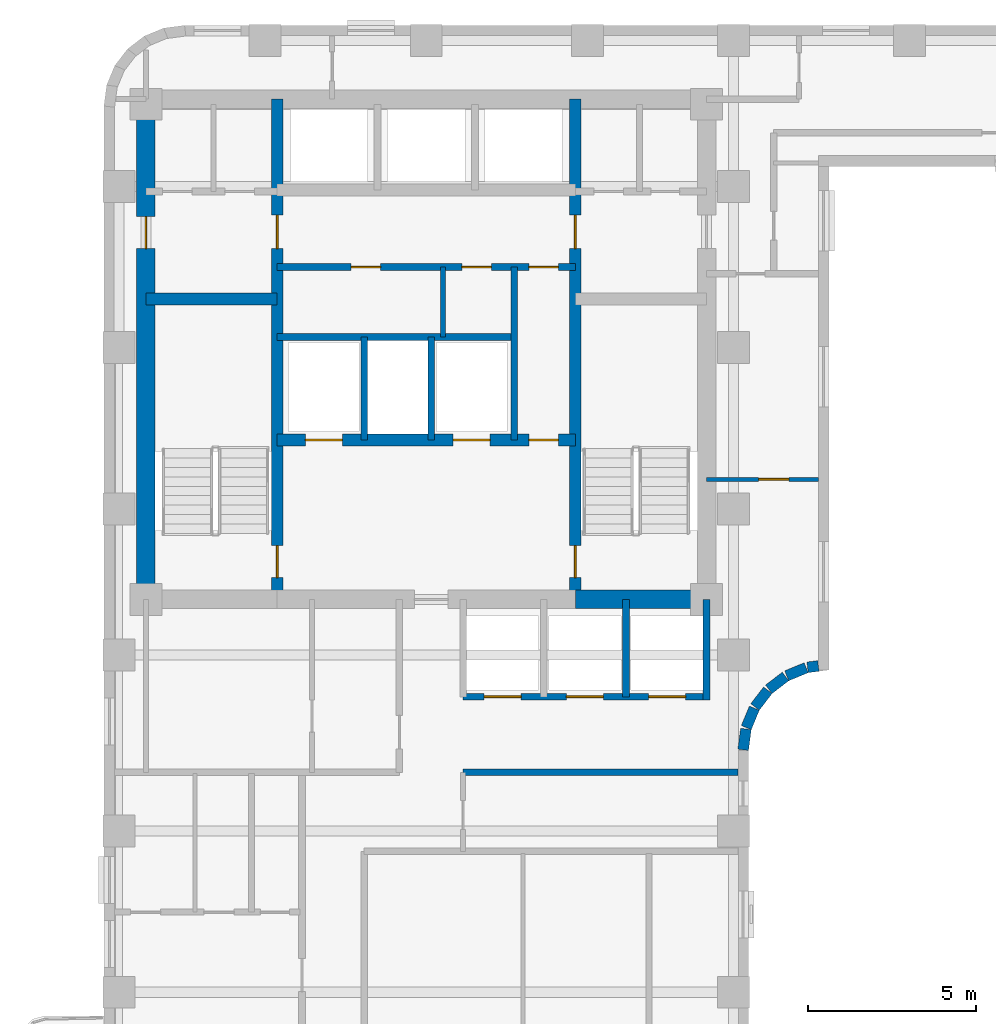
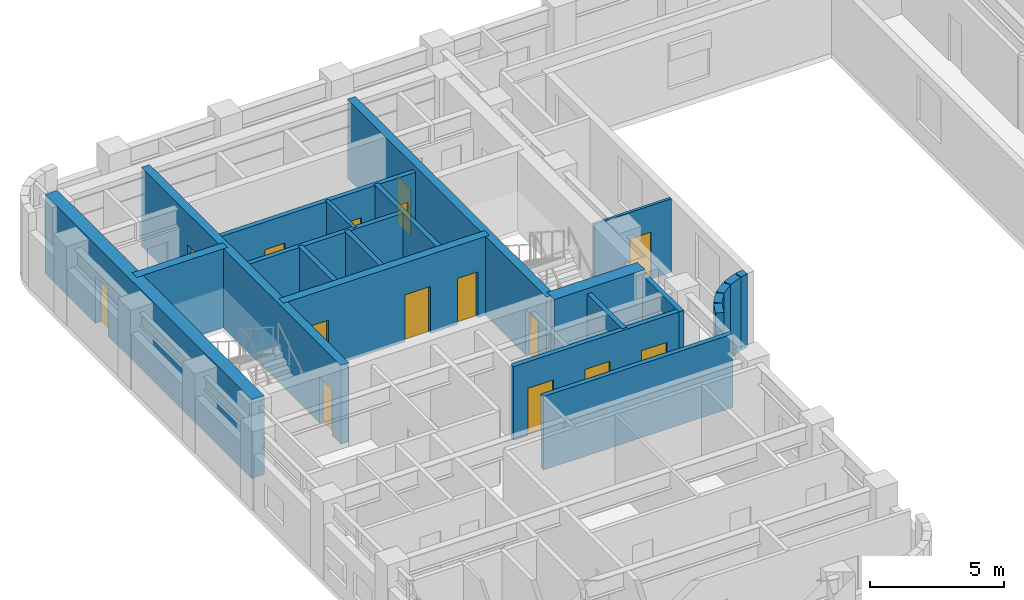
# One storey, part 4 of 10: 23 walls, 15 doors, 15 openings.
"""IFC4 building model written with IfcOpenShell, lengths in metres."""

from ifc_helpers import new_model, si_unit, direction, frame, frame_2d, origin, place, context, subcontext, project, spatial, rectangle, extrude, material, layer, layer_set, type_object, element, fill, save


model = new_model("IFC4")

# Units and contexts
model_context = context("Model", 3, precision=1e-05, world=origin(), true_north=direction((0.0, 1.0)))
body_context = subcontext(model_context, "Body", "Model", "MODEL_VIEW")
ifc_project = project(units=[si_unit("LENGTHUNIT", "METRE"), si_unit("AREAUNIT", "SQUARE_METRE"), si_unit("VOLUMEUNIT", "CUBIC_METRE"), si_unit("PLANEANGLEUNIT", "RADIAN"), si_unit("MASSUNIT", "GRAM", prefix="KILO")], contexts=[model_context])

# Site, building, storey
site_placement = place(None, origin())
site = spatial("IfcSite", under=ifc_project, at=site_placement, CompositionType="ELEMENT")
building_placement = place(site_placement, origin())
building = spatial("IfcBuilding", under=site, at=building_placement, Name="Orvandelia Arch Residences", CompositionType="ELEMENT")
storey_placement = place(building_placement, frame((0.0, 0.0, 182.800048828125)))
storey = spatial("IfcBuildingStorey", under=building, at=storey_placement, Name="L48", CompositionType="ELEMENT", Elevation=182.800048828125)

# Wall, openings, doors
ifc_material_1 = material(Name="Concrete C50/60", Category="concrete")
ifc_layer_1 = layer(ifc_material_1, 0.35009765625, Name="Concrete C50/60", Category="concrete")
ifc_layer_set_1 = layer_set([ifc_layer_1], Name="Concrete C50/60")
wall_type_1 = type_object("IfcWallType", Name="WL-CORE-350", PredefinedType="SHEAR", material=ifc_layer_set_1)
wall_1_placement = place(storey_placement, frame((9.9599609375, 30.89990234375, 0.0), z_axis=(0.0, 0.0, 1.0), x_axis=(0.0, 1.0, 0.0)))
wall_1 = element("IfcWall", 1, at=wall_1_placement, inside=storey, type_object=wall_type_1, Name="Core Shear Wall L48-WEB1", PredefinedType="SHEAR", context=body_context, shape_type="SweptSolid", body=[
    extrude(rectangle(XDim=14.900146484375, YDim=0.35009765625, at=frame_2d((7.4501953125, 0.0))), origin(), (0.0, 0.0, 1.0), 3.599853515625),
])
opening_1_placement = place(wall_1_placement, frame((0.64990234375, 0.0, 0.0)))
opening_1 = element("IfcOpeningElement", 2, at=opening_1_placement, cuts=wall_1, Name="Opening D7", PredefinedType="OPENING", context=body_context, shape_type="SweptSolid", body=[
    extrude(rectangle(XDim=0.949951171875, YDim=2.10009765625, at=frame_2d((0.47509765625, 1.050048828125))), frame((0.0, 0.18505859375, 0.0), z_axis=(0.0, -1.0, 0.0), x_axis=(1.0, 0.0, 0.0)), (0.0, 0.0, 1.0), 0.3701171875),
])
opening_2_placement = place(wall_1_placement, frame((10.449951171875, 0.0, 0.0)))
opening_2 = element("IfcOpeningElement", 3, at=opening_2_placement, cuts=wall_1, Name="Opening D6", PredefinedType="OPENING", context=body_context, shape_type="SweptSolid", body=[
    extrude(rectangle(XDim=1.0, YDim=2.14990234375, at=frame_2d((0.5, 1.074951171875))), frame((0.0, 0.18505859375, 0.0), z_axis=(0.0, -1.0, 0.0), x_axis=(1.0, 0.0, 0.0)), (0.0, 0.0, 1.0), 0.3701171875),
])
ifc_material_2 = material(Name="Smokeproof Painted Steel Fire Door", Category="steel")
door_type_1 = type_object("IfcDoorType", Name="DR-FD60-1000", OperationType="NOTDEFINED", PredefinedType="DOOR", material=ifc_material_2)
door_1_placement = place(opening_2_placement, origin())
door_1 = element("IfcDoor", 4, at=door_1_placement, inside=storey, type_object=door_type_1, Name="High-Rise Lift Hall West Vestibule Door L48", OperationType="SINGLE_SWING_LEFT", OverallHeight=2.14990234375, OverallWidth=1.0, PredefinedType="DOOR", context=body_context, shape_type="SweptSolid", body=[
    extrude(rectangle(XDim=1.0, YDim=2.14990234375, at=frame_2d((0.5, 1.074951171875))), frame((0.0, 0.02490234375, 0.0), z_axis=(0.0, -1.0, 0.0), x_axis=(1.0, 0.0, 0.0)), (0.0, 0.0, 1.0), 0.050048828125),
])
fill(opening_2, door_1)
ifc_material_3 = material(Name="Pressurised Stairwell Fire Door")
door_type_2 = type_object("IfcDoorType", Name="DR-STAIR-950", OperationType="NOTDEFINED", PredefinedType="DOOR", material=ifc_material_3)
door_2_placement = place(opening_1_placement, origin())
door_2 = element("IfcDoor", 5, at=door_2_placement, inside=storey, type_object=door_type_2, Name="Stairwell ST-1 Fire Door L48", OperationType="SINGLE_SWING_LEFT", OverallHeight=2.10009765625, OverallWidth=0.949951171875, PredefinedType="DOOR", context=body_context, shape_type="SweptSolid", body=[
    extrude(rectangle(XDim=0.949951171875, YDim=2.10009765625, at=frame_2d((0.47509765625, 1.050048828125))), frame((0.0, 0.02490234375, 0.0), z_axis=(0.0, -1.0, 0.0), x_axis=(1.0, 0.0, 0.0)), (0.0, 0.0, 1.0), 0.050048828125),
])
fill(opening_1, door_2)

wall_2_placement = place(storey_placement, frame((18.840087890625, 30.89990234375, 0.0), z_axis=(0.0, 0.0, 1.0), x_axis=(0.0, 1.0, 0.0)))
wall_2 = element("IfcWall", 6, at=wall_2_placement, inside=storey, type_object=wall_type_1, Name="Core Shear Wall L48-WEB2", PredefinedType="SHEAR", context=body_context, shape_type="SweptSolid", body=[
    extrude(rectangle(XDim=14.900146484375, YDim=0.35009765625, at=frame_2d((7.4501953125, 0.0))), origin(), (0.0, 0.0, 1.0), 3.599853515625),
])
opening_3_placement = place(wall_2_placement, frame((0.64990234375, 0.0, 0.0)))
opening_3 = element("IfcOpeningElement", 7, at=opening_3_placement, cuts=wall_2, Name="Opening D7", PredefinedType="OPENING", context=body_context, shape_type="SweptSolid", body=[
    extrude(rectangle(XDim=0.949951171875, YDim=2.10009765625, at=frame_2d((0.47509765625, 1.050048828125))), frame((0.0, 0.18505859375, 0.0), z_axis=(0.0, -1.0, 0.0), x_axis=(1.0, 0.0, 0.0)), (0.0, 0.0, 1.0), 0.3701171875),
])
opening_4_placement = place(wall_2_placement, frame((10.449951171875, 0.0, 0.0)))
opening_4 = element("IfcOpeningElement", 8, at=opening_4_placement, cuts=wall_2, Name="Opening D6", PredefinedType="OPENING", context=body_context, shape_type="SweptSolid", body=[
    extrude(rectangle(XDim=1.0, YDim=2.14990234375, at=frame_2d((0.5, 1.074951171875))), frame((0.0, 0.18505859375, 0.0), z_axis=(0.0, -1.0, 0.0), x_axis=(1.0, 0.0, 0.0)), (0.0, 0.0, 1.0), 0.3701171875),
])
door_3_placement = place(opening_4_placement, origin())
door_3 = element("IfcDoor", 9, at=door_3_placement, inside=storey, type_object=door_type_1, Name="High-Rise Lift Hall East Vestibule Door L48", OperationType="SINGLE_SWING_RIGHT", OverallHeight=2.14990234375, OverallWidth=1.0, PredefinedType="DOOR", context=body_context, shape_type="SweptSolid", body=[
    extrude(rectangle(XDim=1.0, YDim=2.14990234375, at=frame_2d((0.5, 1.074951171875))), frame((0.0, 0.02490234375, 0.0), z_axis=(0.0, -1.0, 0.0), x_axis=(1.0, 0.0, 0.0)), (0.0, 0.0, 1.0), 0.050048828125),
])
fill(opening_4, door_3)
door_4_placement = place(opening_3_placement, origin())
door_4 = element("IfcDoor", 10, at=door_4_placement, inside=storey, type_object=door_type_2, Name="Stairwell ST-2 Fire Door L48", OperationType="SINGLE_SWING_RIGHT", OverallHeight=2.10009765625, OverallWidth=0.949951171875, PredefinedType="DOOR", context=body_context, shape_type="SweptSolid", body=[
    extrude(rectangle(XDim=0.949951171875, YDim=2.10009765625, at=frame_2d((0.47509765625, 1.050048828125))), frame((0.0, 0.02490234375, 0.0), z_axis=(0.0, -1.0, 0.0), x_axis=(1.0, 0.0, 0.0)), (0.0, 0.0, 1.0), 0.050048828125),
])
fill(opening_3, door_4)

# Wall
wall_3_placement = place(storey_placement, frame((6.050048828125, 39.85009765625, 0.0), z_axis=(0.0, 0.0, 1.0), x_axis=(1.0, 0.0, 0.0)))
element("IfcWall", 11, at=wall_3_placement, inside=storey, type_object=wall_type_1, Name="Core Shear Wall L48-HZ1", PredefinedType="SHEAR", context=body_context, shape_type="SweptSolid", body=[
    extrude(rectangle(XDim=3.909912109375, YDim=0.35009765625, at=frame_2d((1.955078125, 0.0))), origin(), (0.0, 0.0, 1.0), 3.599853515625),
])

# Wall, openings, doors
wall_4_placement = place(storey_placement, frame((9.9599609375, 35.64990234375, 0.0), z_axis=(0.0, 0.0, 1.0), x_axis=(1.0, 0.0, 0.0)))
wall_4 = element("IfcWall", 12, at=wall_4_placement, inside=storey, type_object=wall_type_1, Name="Core Shear Wall L48-HZ3", PredefinedType="SHEAR", context=body_context, shape_type="SweptSolid", body=[
    extrude(rectangle(XDim=8.880126953125, YDim=0.35009765625, at=frame_2d((4.43994140625, 0.0))), origin(), (0.0, 0.0, 1.0), 3.599853515625),
])
opening_5_placement = place(wall_4_placement, frame((0.840087890625, 0.0, 0.0)))
opening_5 = element("IfcOpeningElement", 13, at=opening_5_placement, cuts=wall_4, Name="Opening FLD", PredefinedType="OPENING", context=body_context, shape_type="SweptSolid", body=[
    extrude(rectangle(XDim=1.10009765625, YDim=2.14990234375, at=frame_2d((0.550048828125, 1.074951171875))), frame((0.0, 0.18505859375, 0.0), z_axis=(0.0, -1.0, 0.0), x_axis=(1.0, 0.0, 0.0)), (0.0, 0.0, 1.0), 0.3701171875),
])
opening_6_placement = place(wall_4_placement, frame((5.239990234375, 0.0, 0.0)))
opening_6 = element("IfcOpeningElement", 14, at=opening_6_placement, cuts=wall_4, Name="Opening FLD", PredefinedType="OPENING", context=body_context, shape_type="SweptSolid", body=[
    extrude(rectangle(XDim=1.10009765625, YDim=2.14990234375, at=frame_2d((0.550048828125, 1.074951171875))), frame((0.0, 0.18505859375, 0.0), z_axis=(0.0, -1.0, 0.0), x_axis=(1.0, 0.0, 0.0)), (0.0, 0.0, 1.0), 0.3701171875),
])
opening_7_placement = place(wall_4_placement, frame((7.5, 0.0, 0.0)))
opening_7 = element("IfcOpeningElement", 15, at=opening_7_placement, cuts=wall_4, Name="Opening D5", PredefinedType="OPENING", context=body_context, shape_type="SweptSolid", body=[
    extrude(rectangle(XDim=0.8798828125, YDim=2.10009765625, at=frame_2d((0.43994140625, 1.050048828125))), frame((0.0, 0.18505859375, 0.0), z_axis=(0.0, -1.0, 0.0), x_axis=(1.0, 0.0, 0.0)), (0.0, 0.0, 1.0), 0.3701171875),
])
ifc_material_4 = material(Name="Firefighting Lift Stainless Sliding Door")
door_type_3 = type_object("IfcDoorType", Name="DR-FLFT-1100", OperationType="NOTDEFINED", PredefinedType="DOOR", material=ifc_material_4)
door_5_placement = place(opening_5_placement, origin())
door_5 = element("IfcDoor", 16, at=door_5_placement, inside=storey, type_object=door_type_3, Name="Firefighting Lift Landing Door FLD-FL1-L48", OperationType="SLIDING_TO_LEFT", OverallHeight=2.14990234375, OverallWidth=1.10009765625, PredefinedType="DOOR", context=body_context, shape_type="SweptSolid", body=[
    extrude(rectangle(XDim=1.10009765625, YDim=2.14990234375, at=frame_2d((0.550048828125, 1.074951171875))), frame((0.0, 0.02490234375, 0.0), z_axis=(0.0, -1.0, 0.0), x_axis=(1.0, 0.0, 0.0)), (0.0, 0.0, 1.0), 0.050048828125),
])
fill(opening_5, door_5)
door_6_placement = place(opening_6_placement, origin())
door_6 = element("IfcDoor", 17, at=door_6_placement, inside=storey, type_object=door_type_3, Name="Firefighting Lift Landing Door FLD-FL2-L48", OperationType="SLIDING_TO_RIGHT", OverallHeight=2.14990234375, OverallWidth=1.10009765625, PredefinedType="DOOR", context=body_context, shape_type="SweptSolid", body=[
    extrude(rectangle(XDim=1.10009765625, YDim=2.14990234375, at=frame_2d((0.550048828125, 1.074951171875))), frame((0.0, 0.02490234375, 0.0), z_axis=(0.0, -1.0, 0.0), x_axis=(1.0, 0.0, 0.0)), (0.0, 0.0, 1.0), 0.050048828125),
])
fill(opening_6, door_6)
ifc_material_5 = material(Name="Painted Galvanised Steel Service Door", Category="steel")
door_type_4 = type_object("IfcDoorType", Name="DR-SRV-880", OperationType="NOTDEFINED", PredefinedType="DOOR", material=ifc_material_5)
door_7_placement = place(opening_7_placement, origin())
door_7 = element("IfcDoor", 18, at=door_7_placement, inside=storey, type_object=door_type_4, Name="Core Stairway Passage South Fire Door L48", OperationType="SINGLE_SWING_LEFT", OverallHeight=2.10009765625, OverallWidth=0.8798828125, PredefinedType="DOOR", context=body_context, shape_type="SweptSolid", body=[
    extrude(rectangle(XDim=0.8798828125, YDim=2.10009765625, at=frame_2d((0.43994140625, 1.050048828125))), frame((0.0, 0.02490234375, 0.0), z_axis=(0.0, -1.0, 0.0), x_axis=(1.0, 0.0, 0.0)), (0.0, 0.0, 1.0), 0.050048828125),
])
fill(opening_7, door_7)

# Wall, opening, door
ifc_material_6 = material(Name="Concrete C60/75", Category="concrete")
ifc_layer_2 = layer(ifc_material_6, 0.550048828125, Name="Concrete C60/75", Category="concrete")
ifc_layer_set_2 = layer_set([ifc_layer_2], Name="Concrete C60/75")
wall_type_2 = type_object("IfcWallType", Name="WL-CORE-550", PredefinedType="SHEAR", material=ifc_layer_set_2)
wall_5_placement = place(storey_placement, frame((6.050048828125, 30.625, 0.0), z_axis=(0.0, 0.0, 1.0), x_axis=(0.0, 1.0, 0.0)))
wall_5 = element("IfcWall", 19, at=wall_5_placement, inside=storey, type_object=wall_type_2, Name="Core Shear Wall L48-W", PredefinedType="SHEAR", context=body_context, shape_type="SweptSolid", body=[
    extrude(rectangle(XDim=15.449951171875, YDim=0.550048828125, at=frame_2d((7.72509765625, 0.0))), origin(), (0.0, 0.0, 1.0), 3.599853515625),
])
opening_8_placement = place(wall_5_placement, frame((10.72509765625, 0.0, 0.0)))
opening_8 = element("IfcOpeningElement", 20, at=opening_8_placement, cuts=wall_5, Name="Opening D2", PredefinedType="OPENING", context=body_context, shape_type="SweptSolid", body=[
    extrude(rectangle(XDim=0.949951171875, YDim=2.14990234375, at=frame_2d((0.47509765625, 1.074951171875))), frame((0.0, 0.28515625, 0.0), z_axis=(0.0, -1.0, 0.0), x_axis=(1.0, 0.0, 0.0)), (0.0, 0.0, 1.0), 0.570068359375),
])
ifc_material_7 = material(Name="Solid-Core Timber Interior Fire Door", Category="wood")
door_type_5 = type_object("IfcDoorType", Name="DR-APT-950", OperationType="NOTDEFINED", PredefinedType="DOOR", material=ifc_material_7)
door_8_placement = place(opening_8_placement, origin())
door_8 = element("IfcDoor", 21, at=door_8_placement, inside=storey, type_object=door_type_5, Name="West Viewing Study Door L48", OperationType="SINGLE_SWING_RIGHT", OverallHeight=2.14990234375, OverallWidth=0.949951171875, PredefinedType="DOOR", context=body_context, shape_type="SweptSolid", body=[
    extrude(rectangle(XDim=0.949951171875, YDim=2.14990234375, at=frame_2d((0.47509765625, 1.074951171875))), frame((0.0, 0.02490234375, 0.0), z_axis=(0.0, -1.0, 0.0), x_axis=(1.0, 0.0, 0.0)), (0.0, 0.0, 1.0), 0.050048828125),
])
fill(opening_8, door_8)

# Walls
wall_6_placement = place(storey_placement, frame((18.840087890625, 30.89990234375, 0.0), z_axis=(0.0, 0.0, 1.0), x_axis=(1.0, 0.0, 0.0)))
element("IfcWall", 22, at=wall_6_placement, inside=storey, type_object=wall_type_2, Name="Core Shear Wall L48-SE", PredefinedType="SHEAR", context=body_context, shape_type="SweptSolid", body=[
    extrude(rectangle(XDim=3.909912109375, YDim=0.550048828125, at=frame_2d((1.955078125, 0.0))), origin(), (0.0, 0.0, 1.0), 3.599853515625),
])
ifc_material_8 = material(Name="Fire-Rated Corridor Partition")
ifc_layer_3 = layer(ifc_material_8, 0.199951171875, Name="Fire-Rated Corridor Partition")
ifc_layer_set_3 = layer_set([ifc_layer_3], Name="Fire-Rated Corridor Partition")
wall_type_3 = type_object("IfcWallType", Name="WL-CORR-200", PredefinedType="PARTITIONING", material=ifc_layer_set_3)
wall_7_placement = place(storey_placement, frame((15.5, 25.75, 0.0), z_axis=(0.0, 0.0, 1.0), x_axis=(1.0, 0.0, 0.0)))
element("IfcWall", 23, at=wall_7_placement, inside=storey, type_object=wall_type_3, Name="Interior Partition Wall WL-L48-WLNK-NE2", PredefinedType="PARTITIONING", context=body_context, shape_type="SweptSolid", body=[
    extrude(rectangle(XDim=8.179931640625, YDim=0.199951171875, at=frame_2d((4.08984375, 0.0))), origin(), (0.0, 0.0, 1.0), 3.35986328125),
])
ifc_material_9 = material(Name="Precast concrete C40/50", Category="concrete")
ifc_layer_4 = layer(ifc_material_9, 0.320068359375, Name="Precast concrete C40/50", Category="concrete")
ifc_layer_set_4 = layer_set([ifc_layer_4], Name="Precast concrete C40/50")
wall_type_4 = type_object("IfcWallType", Name="WL-EXT-STONE-320", PredefinedType="STANDARD", material=ifc_layer_set_4)
wall_8_placement = place(storey_placement, frame((26.081787109375, 28.91943359375, 0.0), z_axis=(0.0, 0.0, 1.0), x_axis=(-0.991512688813, -0.130009953168, 0.0)))
element("IfcWall", 24, at=wall_8_placement, inside=storey, type_object=wall_type_4, Name="Coral-Limestone Precast Facade Wall L48-025", PredefinedType="STANDARD", context=body_context, shape_type="SweptSolid", body=[
    extrude(rectangle(XDim=0.32666015625, YDim=0.320068359375, at=frame_2d((0.163330078125, 0.0))), origin(), (0.0, 0.0, 1.0), 3.35986328125),
])
wall_9_placement = place(storey_placement, frame((25.717529296875, 28.865966796875, 0.0), z_axis=(0.0, 0.0, 1.0), x_axis=(-0.923836271867, -0.382787856107, 0.0)))
element("IfcWall", 25, at=wall_9_placement, inside=storey, type_object=wall_type_4, Name="Coral-Limestone Precast Facade Wall L48-026", PredefinedType="STANDARD", context=body_context, shape_type="SweptSolid", body=[
    extrude(rectangle(XDim=0.626220703125, YDim=0.320068359375, at=frame_2d((0.31298828125, 0.0))), origin(), (0.0, 0.0, 1.0), 3.35986328125),
])
for number, where, z_axis, x_axis, name in (
    (26, (25.1025390625, 28.60546875, 0.0), (0.0, 0.0, 1.0), (-0.793405610854, -0.608693302629, 0.0), "Coral-Limestone Precast Facade Wall L48-027"),
    (27, (24.575927734375, 28.194580078125, 0.0), (0.0, 0.0, 1.0), (-0.608693302629, -0.793405610854, 0.0), "Coral-Limestone Precast Facade Wall L48-028"),
):
    element("IfcWall", number, at=place(storey_placement, frame(where, z_axis=z_axis, x_axis=x_axis)), inside=storey, type_object=wall_type_4, Name=name, PredefinedType="STANDARD", context=body_context, shape_type="SweptSolid", body=[
        extrude(rectangle(XDim=0.62646484375, YDim=0.320068359375, at=frame_2d((0.313232421875, 0.0))), origin(), (0.0, 0.0, 1.0), 3.35986328125),
    ])
wall_10_placement = place(storey_placement, frame((24.173583984375, 27.6611328125, 0.0), z_axis=(0.0, 0.0, 1.0), x_axis=(-0.382455093999, -0.923974080304, 0.0)))
element("IfcWall", 28, at=wall_10_placement, inside=storey, type_object=wall_type_4, Name="Coral-Limestone Precast Facade Wall L48-029", PredefinedType="STANDARD", context=body_context, shape_type="SweptSolid", body=[
    extrude(rectangle(XDim=0.626220703125, YDim=0.320068359375, at=frame_2d((0.31298828125, 0.0))), origin(), (0.0, 0.0, 1.0), 3.35986328125),
])
wall_11_placement = place(storey_placement, frame((23.923095703125, 27.0419921875, 0.0), z_axis=(0.0, 0.0, 1.0), x_axis=(-0.130555323746, -0.9914410257, 0.0)))
element("IfcWall", 29, at=wall_11_placement, inside=storey, type_object=wall_type_4, Name="Coral-Limestone Precast Facade Wall L48-030", PredefinedType="STANDARD", context=body_context, shape_type="SweptSolid", body=[
    extrude(rectangle(XDim=0.62646484375, YDim=0.320068359375, at=frame_2d((0.313232421875, 0.0))), origin(), (0.0, 0.0, 1.0), 2.5400390625),
])

# Wall, opening, door
ifc_material_10 = material(Name="Lightweight Gypsum Stud Partition")
ifc_layer_5 = layer(ifc_material_10, 0.1201171875, Name="Lightweight Gypsum Stud Partition")
ifc_layer_set_5 = layer_set([ifc_layer_5], Name="Lightweight Gypsum Stud Partition")
wall_type_5 = type_object("IfcWallType", Name="WL-PART-120", PredefinedType="PARTITIONING", material=ifc_layer_set_5)
wall_12_placement = place(storey_placement, frame((22.75, 34.47998046875, 0.0), z_axis=(0.0, 0.0, 1.0), x_axis=(1.0, 0.0, 0.0)))
wall_12 = element("IfcWall", 30, at=wall_12_placement, inside=storey, type_object=wall_type_5, Name="Interior Partition Wall WL-L48-VPW-M", PredefinedType="PARTITIONING", context=body_context, shape_type="SweptSolid", body=[
    extrude(rectangle(XDim=3.330078125, YDim=0.1201171875, at=frame_2d((1.6650390625, 0.0))), origin(), (0.0, 0.0, 1.0), 3.35986328125),
])
opening_9_placement = place(wall_12_placement, frame((1.550048828125, 0.0, 0.0)))
opening_9 = element("IfcOpeningElement", 31, at=opening_9_placement, cuts=wall_12, Name="Opening D3", PredefinedType="OPENING", context=body_context, shape_type="SweptSolid", body=[
    extrude(rectangle(XDim=0.89990234375, YDim=2.14990234375, at=frame_2d((0.449951171875, 1.074951171875))), frame((0.0, 0.070068359375, 0.0), z_axis=(0.0, -1.0, 0.0), x_axis=(1.0, 0.0, 0.0)), (0.0, 0.0, 1.0), 0.14013671875),
])
ifc_material_11 = material(Name="Engineered Timber Flush Door", Category="wood")
door_type_6 = type_object("IfcDoorType", Name="DR-INT-900", OperationType="NOTDEFINED", PredefinedType="DOOR", material=ifc_material_11)
door_9_placement = place(opening_9_placement, origin())
door_9 = element("IfcDoor", 32, at=door_9_placement, inside=storey, type_object=door_type_6, Name="DR-L48-VPWL1", OperationType="SINGLE_SWING_LEFT", OverallHeight=2.14990234375, OverallWidth=0.89990234375, PredefinedType="DOOR", context=body_context, shape_type="SweptSolid", body=[
    extrude(rectangle(XDim=0.89990234375, YDim=2.14990234375, at=frame_2d((0.449951171875, 1.074951171875))), frame((0.0, 0.02490234375, 0.0), z_axis=(0.0, -1.0, 0.0), x_axis=(1.0, 0.0, 0.0)), (0.0, 0.0, 1.0), 0.050048828125),
])
fill(opening_9, door_9)

# Walls
ifc_material_12 = material(Name="Acoustic Gypsum Stud Partition")
ifc_layer_6 = layer(ifc_material_12, 0.14990234375, Name="Acoustic Gypsum Stud Partition")
ifc_layer_set_6 = layer_set([ifc_layer_6], Name="Acoustic Gypsum Stud Partition")
wall_type_6 = type_object("IfcWallType", Name="WL-PART-150", PredefinedType="PARTITIONING", material=ifc_layer_set_6)
wall_13_placement = place(storey_placement, frame((14.89990234375, 38.719970703125, 0.0), z_axis=(0.0, 0.0, 1.0), x_axis=(0.0, 1.0, 0.0)))
element("IfcWall", 33, at=wall_13_placement, inside=storey, type_object=wall_type_6, Name="Interior Partition Wall WL-L48-CSA-1", PredefinedType="PARTITIONING", context=body_context, shape_type="SweptSolid", body=[
    extrude(rectangle(XDim=2.080078125, YDim=0.14990234375, at=frame_2d((1.0400390625, 0.0))), origin(), (0.0, 0.0, 1.0), 3.35986328125),
])
ifc_material_13 = material(Name="Fire-Rated Shaft Enclosure Wall")
ifc_layer_7 = layer(ifc_material_13, 0.199951171875, Name="Fire-Rated Shaft Enclosure Wall")
ifc_layer_set_7 = layer_set([ifc_layer_7], Name="Fire-Rated Shaft Enclosure Wall")
wall_type_7 = type_object("IfcWallType", Name="WL-SHAFT-200", PredefinedType="POLYGONAL", material=ifc_layer_set_7)
wall_14_placement = place(storey_placement, frame((9.9599609375, 38.719970703125, 0.0), z_axis=(0.0, 0.0, 1.0), x_axis=(1.0, 0.0, 0.0)))
element("IfcWall", 34, at=wall_14_placement, inside=storey, type_object=wall_type_7, Name="Interior Partition Wall WL-L48-FLN", PredefinedType="POLYGONAL", context=body_context, shape_type="SweptSolid", body=[
    extrude(rectangle(XDim=7.06005859375, YDim=0.199951171875, at=frame_2d((3.530029296875, 0.0))), origin(), (0.0, 0.0, 1.0), 3.35986328125),
])
for number, where, z_axis, x_axis, name in (
    (35, (12.550048828125, 35.64990234375, 0.0), (0.0, 0.0, 1.0), (0.0, 1.0, 0.0), "Interior Partition Wall WL-L48-FLM1"),
    (36, (14.550048828125, 35.64990234375, 0.0), (0.0, 0.0, 1.0), (0.0, 1.0, 0.0), "Interior Partition Wall WL-L48-FLM2"),
):
    element("IfcWall", number, at=place(storey_placement, frame(where, z_axis=z_axis, x_axis=x_axis)), inside=storey, type_object=wall_type_7, Name=name, PredefinedType="POLYGONAL", context=body_context, shape_type="SweptSolid", body=[
        extrude(rectangle(XDim=3.070068359375, YDim=0.199951171875, at=frame_2d((1.53515625, 0.0))), origin(), (0.0, 0.0, 1.0), 3.35986328125),
    ])
wall_15_placement = place(storey_placement, frame((17.02001953125, 35.64990234375, 0.0), z_axis=(0.0, 0.0, 1.0), x_axis=(0.0, 1.0, 0.0)))
element("IfcWall", 37, at=wall_15_placement, inside=storey, type_object=wall_type_7, Name="Interior Partition Wall WL-L48-FLM3", PredefinedType="POLYGONAL", context=body_context, shape_type="SweptSolid", body=[
    extrude(rectangle(XDim=5.150146484375, YDim=0.199951171875, at=frame_2d((2.5751953125, 0.0))), origin(), (0.0, 0.0, 1.0), 3.35986328125),
])

# Wall, openings, doors
wall_16_placement = place(storey_placement, frame((9.9599609375, 40.800048828125, 0.0), z_axis=(0.0, 0.0, 1.0), x_axis=(1.0, 0.0, 0.0)))
wall_16 = element("IfcWall", 38, at=wall_16_placement, inside=storey, type_object=wall_type_7, Name="Interior Partition Wall WL-L48-HLH-S", PredefinedType="POLYGONAL", context=body_context, shape_type="SweptSolid", body=[
    extrude(rectangle(XDim=8.880126953125, YDim=0.199951171875, at=frame_2d((4.43994140625, 0.0))), origin(), (0.0, 0.0, 1.0), 3.35986328125),
])
opening_10_placement = place(wall_16_placement, frame((7.5, 0.0, 0.0)))
opening_10 = element("IfcOpeningElement", 39, at=opening_10_placement, cuts=wall_16, Name="Opening D5", PredefinedType="OPENING", context=body_context, shape_type="SweptSolid", body=[
    extrude(rectangle(XDim=0.8798828125, YDim=2.10009765625, at=frame_2d((0.43994140625, 1.050048828125))), frame((0.0, 0.10986328125, 0.0), z_axis=(0.0, -1.0, 0.0), x_axis=(1.0, 0.0, 0.0)), (0.0, 0.0, 1.0), 0.219970703125),
])
opening_11_placement = place(wall_16_placement, frame((2.199951171875, 0.0, 0.0)))
opening_11 = element("IfcOpeningElement", 40, at=opening_11_placement, cuts=wall_16, Name="Opening D5", PredefinedType="OPENING", context=body_context, shape_type="SweptSolid", body=[
    extrude(rectangle(XDim=0.8798828125, YDim=2.10009765625, at=frame_2d((0.43994140625, 1.050048828125))), frame((0.0, 0.10986328125, 0.0), z_axis=(0.0, -1.0, 0.0), x_axis=(1.0, 0.0, 0.0)), (0.0, 0.0, 1.0), 0.219970703125),
])
opening_12_placement = place(wall_16_placement, frame((5.5, 0.0, 0.0)))
opening_12 = element("IfcOpeningElement", 41, at=opening_12_placement, cuts=wall_16, Name="Opening D5", PredefinedType="OPENING", context=body_context, shape_type="SweptSolid", body=[
    extrude(rectangle(XDim=0.8798828125, YDim=2.10009765625, at=frame_2d((0.43994140625, 1.050048828125))), frame((0.0, 0.10986328125, 0.0), z_axis=(0.0, -1.0, 0.0), x_axis=(1.0, 0.0, 0.0)), (0.0, 0.0, 1.0), 0.219970703125),
])
door_10_placement = place(opening_10_placement, origin())
door_10 = element("IfcDoor", 42, at=door_10_placement, inside=storey, type_object=door_type_4, Name="Core Stairway Passage North Fire Door L48", OperationType="SINGLE_SWING_RIGHT", OverallHeight=2.10009765625, OverallWidth=0.8798828125, PredefinedType="DOOR", context=body_context, shape_type="SweptSolid", body=[
    extrude(rectangle(XDim=0.8798828125, YDim=2.10009765625, at=frame_2d((0.43994140625, 1.050048828125))), frame((0.0, 0.02490234375, 0.0), z_axis=(0.0, -1.0, 0.0), x_axis=(1.0, 0.0, 0.0)), (0.0, 0.0, 1.0), 0.050048828125),
])
fill(opening_10, door_10)
door_11_placement = place(opening_11_placement, origin())
door_11 = element("IfcDoor", 43, at=door_11_placement, inside=storey, type_object=door_type_4, Name="DR-L48-CSA1", OperationType="SINGLE_SWING_RIGHT", OverallHeight=2.10009765625, OverallWidth=0.8798828125, PredefinedType="DOOR", context=body_context, shape_type="SweptSolid", body=[
    extrude(rectangle(XDim=0.8798828125, YDim=2.10009765625, at=frame_2d((0.43994140625, 1.050048828125))), frame((0.0, 0.02490234375, 0.0), z_axis=(0.0, -1.0, 0.0), x_axis=(1.0, 0.0, 0.0)), (0.0, 0.0, 1.0), 0.050048828125),
])
fill(opening_11, door_11)
door_12_placement = place(opening_12_placement, origin())
door_12 = element("IfcDoor", 44, at=door_12_placement, inside=storey, type_object=door_type_4, Name="DR-L48-CSA2", OperationType="SINGLE_SWING_LEFT", OverallHeight=2.10009765625, OverallWidth=0.8798828125, PredefinedType="DOOR", context=body_context, shape_type="SweptSolid", body=[
    extrude(rectangle(XDim=0.8798828125, YDim=2.10009765625, at=frame_2d((0.43994140625, 1.050048828125))), frame((0.0, 0.02490234375, 0.0), z_axis=(0.0, -1.0, 0.0), x_axis=(1.0, 0.0, 0.0)), (0.0, 0.0, 1.0), 0.050048828125),
])
fill(opening_12, door_12)

wall_17_placement = place(storey_placement, frame((15.5, 28.0, 0.0), z_axis=(0.0, 0.0, 1.0), x_axis=(1.0, 0.0, 0.0)))
wall_17 = element("IfcWall", 45, at=wall_17_placement, inside=storey, type_object=wall_type_7, Name="Interior Partition Wall WL-L48-BNKM-S", PredefinedType="POLYGONAL", context=body_context, shape_type="SweptSolid", body=[
    extrude(rectangle(XDim=7.25, YDim=0.199951171875, at=frame_2d((3.625, 0.0))), origin(), (0.0, 0.0, 1.0), 3.35986328125),
])
opening_13_placement = place(wall_17_placement, frame((0.625, 0.0, 0.0)))
opening_13 = element("IfcOpeningElement", 46, at=opening_13_placement, cuts=wall_17, Name="Opening LD", PredefinedType="OPENING", context=body_context, shape_type="SweptSolid", body=[
    extrude(rectangle(XDim=1.10009765625, YDim=2.14990234375, at=frame_2d((0.550048828125, 1.074951171875))), frame((0.0, 0.10986328125, 0.0), z_axis=(0.0, -1.0, 0.0), x_axis=(1.0, 0.0, 0.0)), (0.0, 0.0, 1.0), 0.219970703125),
])
opening_14_placement = place(wall_17_placement, frame((3.074951171875, 0.0, 0.0)))
opening_14 = element("IfcOpeningElement", 47, at=opening_14_placement, cuts=wall_17, Name="Opening LD", PredefinedType="OPENING", context=body_context, shape_type="SweptSolid", body=[
    extrude(rectangle(XDim=1.10009765625, YDim=2.14990234375, at=frame_2d((0.550048828125, 1.074951171875))), frame((0.0, 0.10986328125, 0.0), z_axis=(0.0, -1.0, 0.0), x_axis=(1.0, 0.0, 0.0)), (0.0, 0.0, 1.0), 0.219970703125),
])
opening_15_placement = place(wall_17_placement, frame((5.52490234375, 0.0, 0.0)))
opening_15 = element("IfcOpeningElement", 48, at=opening_15_placement, cuts=wall_17, Name="Opening LD", PredefinedType="OPENING", context=body_context, shape_type="SweptSolid", body=[
    extrude(rectangle(XDim=1.10009765625, YDim=2.14990234375, at=frame_2d((0.550048828125, 1.074951171875))), frame((0.0, 0.10986328125, 0.0), z_axis=(0.0, -1.0, 0.0), x_axis=(1.0, 0.0, 0.0)), (0.0, 0.0, 1.0), 0.219970703125),
])
ifc_material_14 = material(Name="Brushed Stainless Steel Sliding Lift Door", Category="steel")
door_type_7 = type_object("IfcDoorType", Name="DR-LIFT-1100", OperationType="NOTDEFINED", PredefinedType="DOOR", material=ifc_material_14)
door_13_placement = place(opening_13_placement, origin())
door_13 = element("IfcDoor", 49, at=door_13_placement, inside=storey, type_object=door_type_7, Name="Lift Landing Door LD-PM1", OperationType="SLIDING_TO_LEFT", OverallHeight=2.14990234375, OverallWidth=1.10009765625, PredefinedType="DOOR", context=body_context, shape_type="SweptSolid", body=[
    extrude(rectangle(XDim=1.10009765625, YDim=2.14990234375, at=frame_2d((0.550048828125, 1.074951171875))), frame((0.0, 0.02490234375, 0.0), z_axis=(0.0, -1.0, 0.0), x_axis=(1.0, 0.0, 0.0)), (0.0, 0.0, 1.0), 0.050048828125),
])
fill(opening_13, door_13)
door_14_placement = place(opening_14_placement, origin())
door_14 = element("IfcDoor", 50, at=door_14_placement, inside=storey, type_object=door_type_7, Name="Lift Landing Door LD-PM2", OperationType="SLIDING_TO_RIGHT", OverallHeight=2.14990234375, OverallWidth=1.10009765625, PredefinedType="DOOR", context=body_context, shape_type="SweptSolid", body=[
    extrude(rectangle(XDim=1.10009765625, YDim=2.14990234375, at=frame_2d((0.550048828125, 1.074951171875))), frame((0.0, 0.02490234375, 0.0), z_axis=(0.0, -1.0, 0.0), x_axis=(1.0, 0.0, 0.0)), (0.0, 0.0, 1.0), 0.050048828125),
])
fill(opening_14, door_14)
door_15_placement = place(opening_15_placement, origin())
door_15 = element("IfcDoor", 51, at=door_15_placement, inside=storey, type_object=door_type_7, Name="Lift Landing Door LD-PM3", OperationType="SLIDING_TO_LEFT", OverallHeight=2.14990234375, OverallWidth=1.10009765625, PredefinedType="DOOR", context=body_context, shape_type="SweptSolid", body=[
    extrude(rectangle(XDim=1.10009765625, YDim=2.14990234375, at=frame_2d((0.550048828125, 1.074951171875))), frame((0.0, 0.02490234375, 0.0), z_axis=(0.0, -1.0, 0.0), x_axis=(1.0, 0.0, 0.0)), (0.0, 0.0, 1.0), 0.050048828125),
])
fill(opening_15, door_15)

# Walls
wall_18_placement = place(storey_placement, frame((22.75, 27.89990234375, 0.0), z_axis=(0.0, 0.0, 1.0), x_axis=(0.0, 1.0, 0.0)))
element("IfcWall", 52, at=wall_18_placement, inside=storey, type_object=wall_type_7, Name="Interior Partition Wall WL-L48-BNKM-E", PredefinedType="POLYGONAL", context=body_context, shape_type="SweptSolid", body=[
    extrude(rectangle(XDim=3.0, YDim=0.199951171875, at=frame_2d((1.5, 0.0))), origin(), (0.0, 0.0, 1.0), 3.35986328125),
])
wall_19_placement = place(storey_placement, frame((20.35009765625, 28.0, 0.0), z_axis=(0.0, 0.0, 1.0), x_axis=(0.0, 1.0, 0.0)))
element("IfcWall", 53, at=wall_19_placement, inside=storey, type_object=wall_type_7, Name="Interior Partition Wall WL-L48-BNKMD-2035", PredefinedType="POLYGONAL", context=body_context, shape_type="SweptSolid", body=[
    extrude(rectangle(XDim=2.89990234375, YDim=0.199951171875, at=frame_2d((1.449951171875, 0.0))), origin(), (0.0, 0.0, 1.0), 3.35986328125),
])

save(model, "model.ifc")
